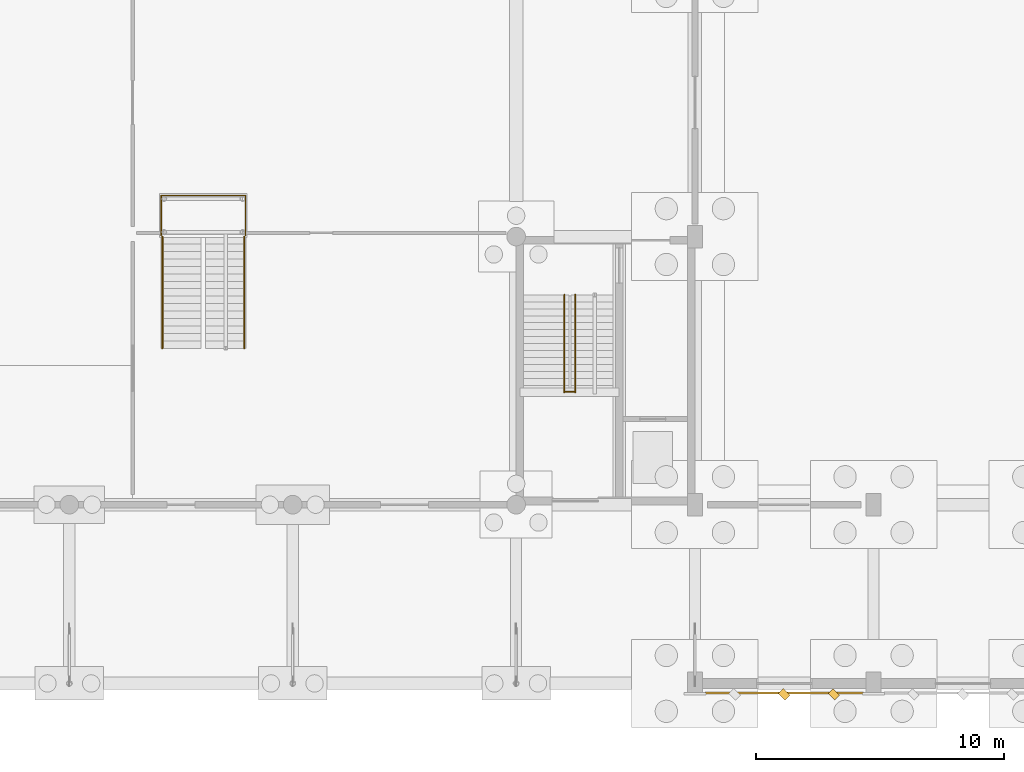
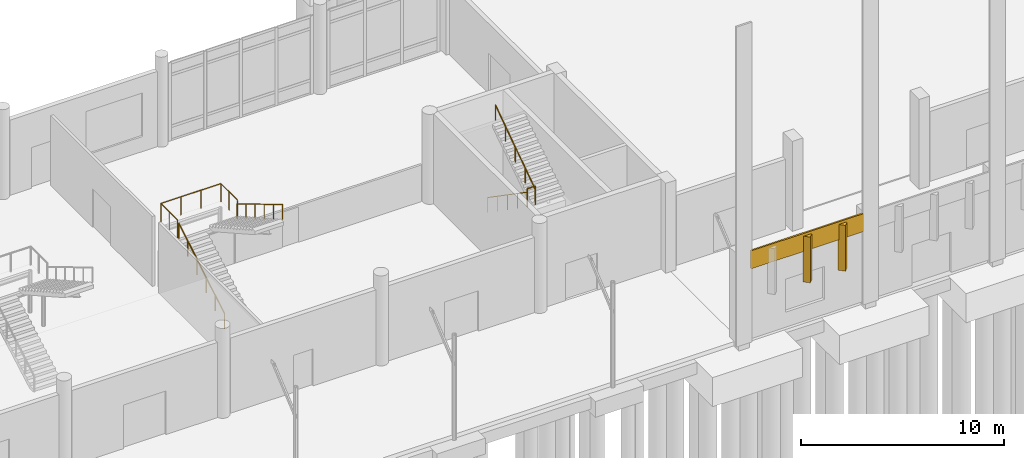
# One storey, part 98 of 109: 6 railings, 3 coverings.
"""IFC4 building model written with IfcOpenShell, lengths in metres."""

from ifc_helpers import new_model, si_unit, direction, frame, origin, origin_2d, place, context, subcontext, project, spatial, rectangle, circle, extrude, material, layer, layer_set, type_object, element, save


model = new_model("IFC4")

# Units and contexts
model_context = context("Model", 3, precision=1e-05, world=origin(), true_north=direction((0.0, 1.0)))
body_context = subcontext(model_context, "Body", "Model", "MODEL_VIEW")
ifc_project = project(units=[si_unit("LENGTHUNIT", "METRE"), si_unit("AREAUNIT", "SQUARE_METRE"), si_unit("VOLUMEUNIT", "CUBIC_METRE"), si_unit("PLANEANGLEUNIT", "RADIAN"), si_unit("MASSUNIT", "GRAM", prefix="KILO")], contexts=[model_context])

# Site, building, storey
site_placement = place(None, origin())
site = spatial("IfcSite", under=ifc_project, at=site_placement, CompositionType="ELEMENT")
building_placement = place(site_placement, origin())
building = spatial("IfcBuilding", under=site, at=building_placement, Name="Lusvemor Sports Hall", CompositionType="ELEMENT")
storey_placement = place(building_placement, origin())
storey = spatial("IfcBuildingStorey", under=building, at=storey_placement, Name="L00", CompositionType="ELEMENT", Elevation=0.0)

# Coverings
ifc_material_1 = material(Name="Emerald polychrome glazed ceramic cladding on Concrete C40/50 backing", Category="concrete")
ifc_layer_1 = layer(ifc_material_1, 0.0458984375)
ifc_layer_set_1 = layer_set([ifc_layer_1], Name="Emerald polychrome glazed ceramic cladding on Concrete C40/50 backing")
covering_type_1 = type_object("IfcCoveringType", Name="CLAD_WAVE_EMERALD", PredefinedType="CLADDING", material=ifc_layer_set_1)
covering_1_placement = place(storey_placement, frame((122.39990234375, -0.43994140625, 2.550048828125), z_axis=(0.0, 0.0, 1.0), x_axis=(0.707106781187, 0.707106781187, 0.0)))
element("IfcCovering", 1, at=covering_1_placement, inside=storey, type_object=covering_type_1, Name="Patterned Diamond Cladding Rib 146", PredefinedType="CLADDING", context=body_context, shape_type="SweptSolid", body=[
    extrude(rectangle(XDim=0.280029296875, YDim=0.3798828125, at=origin_2d()), origin(), (0.0, 0.0, 1.0), 2.75),
])
ifc_material_2 = material(Name="Warm terracotta Art Nouveau ceramic cladding on Concrete C40/50 backing", Category="masonry")
ifc_layer_2 = layer(ifc_material_2, 0.0380859375)
ifc_layer_set_2 = layer_set([ifc_layer_2], Name="Warm terracotta Art Nouveau ceramic cladding on Concrete C40/50 backing")
covering_type_2 = type_object("IfcCoveringType", Name="CLAD_WAVE_OCHRE", PredefinedType="CLADDING", material=ifc_layer_set_2)
covering_2_placement = place(storey_placement, frame((122.39990234375, -0.389892578125, 4.3798828125), z_axis=(0.0, 0.0, 1.0), x_axis=(1.0, 0.0, 0.0)))
element("IfcCovering", 2, at=covering_2_placement, inside=storey, type_object=covering_type_2, Name="Art Nouveau Spandrel Cornice 144", PredefinedType="CLADDING", context=body_context, shape_type="SweptSolid", body=[
    extrude(rectangle(XDim=6.3798828125, YDim=0.090087890625, at=origin_2d()), origin(), (0.0, 0.0, 1.0), 1.080078125),
])
ifc_material_3 = material(Name="Warm terracotta Art Nouveau ceramic cladding on Concrete C40/50 backing", Category="masonry")
ifc_layer_3 = layer(ifc_material_3, 0.449951171875)
ifc_layer_set_3 = layer_set([ifc_layer_3], Name="Warm terracotta Art Nouveau ceramic cladding on Concrete C40/50 backing")
covering_type_3 = type_object("IfcCoveringType", Name="FIN_BRISE_CER_450", PredefinedType="MOLDING", material=ifc_layer_set_3)
covering_3_placement = place(storey_placement, frame((124.39990234375, -0.43994140625, 2.550048828125), z_axis=(0.0, 0.0, 1.0), x_axis=(0.707106781187, 0.707106781187, 0.0)))
element("IfcCovering", 3, at=covering_3_placement, inside=storey, type_object=covering_type_3, Name="Patterned Diamond Cladding Rib 147", PredefinedType="MOLDING", context=body_context, shape_type="SweptSolid", body=[
    extrude(rectangle(XDim=0.280029296875, YDim=0.3798828125, at=origin_2d()), origin(), (0.0, 0.0, 1.0), 2.75),
])

# Railings
ifc_material_4 = material(Name="Bronze-finished wrought-steel Art Nouveau balustrade", Category="steel")
railing_type_1 = type_object("IfcRailingType", Name="RAIL_HANDRAIL_092", PredefinedType="HANDRAIL", material=ifc_material_4)
railing_1_placement = place(storey_placement, frame((113.5400390625, 15.64990234375, 0.0)))
element("IfcRailing", 4, at=railing_1_placement, inside=storey, type_object=railing_type_1, Name="Stair STR-C7-L00 Handrail F1", PredefinedType="HANDRAIL", context=body_context, shape_type="SweptSolid", body=[
    extrude(circle(Radius=0.02392578125, at=origin_2d()), frame((0.0, 0.0, 0.89599609375), z_axis=(0.0, -0.823550731654, 0.567242622158), x_axis=(1.0, 0.0, 0.0)), (0.0, 0.0, 1.0), 4.759765625),
    extrude(circle(Radius=0.02099609375, at=origin_2d()), origin(), (0.0, 0.0, 1.0), 0.871826171875),
    extrude(circle(Radius=0.02099609375, at=origin_2d()), frame((0.0, -0.97998046875, 0.675048828125)), (0.0, 0.0, 1.0), 0.871826171875),
    extrude(circle(Radius=0.02099609375, at=origin_2d()), frame((0.0, -1.9599609375, 1.35009765625)), (0.0, 0.0, 1.0), 0.871826171875),
    extrude(circle(Radius=0.02099609375, at=origin_2d()), frame((0.0, -2.93994140625, 2.02490234375)), (0.0, 0.0, 1.0), 0.871826171875),
    extrude(circle(Radius=0.02099609375, at=origin_2d()), frame((0.0, -3.919921875, 2.699951171875)), (0.0, 0.0, 1.0), 0.871826171875),
])
railing_2_placement = place(storey_placement, frame((113.97998046875, 11.72998046875, 2.699951171875)))
element("IfcRailing", 5, at=railing_2_placement, inside=storey, type_object=railing_type_1, Name="Stair STR-C7-L00 Handrail F2", PredefinedType="HANDRAIL", context=body_context, shape_type="SweptSolid", body=[
    extrude(circle(Radius=0.02392578125, at=origin_2d()), frame((0.0, 0.0, 0.89599609375), z_axis=(0.0, 0.823550731654, 0.567242622158), x_axis=(-1.0, 0.0, 0.0)), (0.0, 0.0, 1.0), 4.759765625),
    extrude(circle(Radius=0.02099609375, at=origin_2d()), origin(), (0.0, 0.0, 1.0), 0.871826171875),
    extrude(circle(Radius=0.02099609375, at=origin_2d()), frame((0.0, 0.97998046875, 0.675048828125)), (0.0, 0.0, 1.0), 0.871826171875),
    extrude(circle(Radius=0.02099609375, at=origin_2d()), frame((0.0, 1.9599609375, 1.35009765625)), (0.0, 0.0, 1.0), 0.871826171875),
    extrude(circle(Radius=0.02099609375, at=origin_2d()), frame((0.0, 2.93994140625, 2.02490234375)), (0.0, 0.0, 1.0), 0.871826171875),
    extrude(circle(Radius=0.02099609375, at=origin_2d()), frame((0.0, 3.919921875, 2.699951171875)), (0.0, 0.0, 1.0), 0.871826171875),
])
railing_3_placement = place(storey_placement, frame((97.35009765625, 13.5, 0.0)))
element("IfcRailing", 6, at=railing_3_placement, inside=storey, type_object=railing_type_1, Name="STR-FOY-E Handrail F1", PredefinedType="HANDRAIL", context=body_context, shape_type="SweptSolid", body=[
    extrude(circle(Radius=0.02392578125, at=origin_2d()), frame((0.0, 0.0, 0.89599609375), z_axis=(0.0, 0.857497030584, 0.514488913912), x_axis=(-1.0, 0.0, 0.0)), (0.0, 0.0, 1.0), 5.247802734375),
    extrude(circle(Radius=0.02099609375, at=origin_2d()), origin(), (0.0, 0.0, 1.0), 0.871826171875),
    extrude(circle(Radius=0.02099609375, at=origin_2d()), frame((0.0, 0.89990234375, 0.5400390625)), (0.0, 0.0, 1.0), 0.871826171875),
    extrude(circle(Radius=0.02099609375, at=origin_2d()), frame((0.0, 1.800048828125, 1.080078125)), (0.0, 0.0, 1.0), 0.871826171875),
    extrude(circle(Radius=0.02099609375, at=origin_2d()), frame((0.0, 2.699951171875, 1.619873046875)), (0.0, 0.0, 1.0), 0.871826171875),
    extrude(circle(Radius=0.02099609375, at=origin_2d()), frame((0.0, 3.60009765625, 2.159912109375)), (0.0, 0.0, 1.0), 0.871826171875),
    extrude(circle(Radius=0.02099609375, at=origin_2d()), frame((0.0, 4.5, 2.699951171875)), (0.0, 0.0, 1.0), 0.871826171875),
])
railing_4_placement = place(storey_placement, frame((100.64990234375, 18.0, 2.699951171875)))
element("IfcRailing", 7, at=railing_4_placement, inside=storey, type_object=railing_type_1, Name="STR-FOY-E Handrail F2", PredefinedType="HANDRAIL", context=body_context, shape_type="SweptSolid", body=[
    extrude(circle(Radius=0.02392578125, at=origin_2d()), frame((0.0, 0.0, 0.89599609375), z_axis=(0.0, -0.857497030584, 0.514488913912), x_axis=(1.0, 0.0, 0.0)), (0.0, 0.0, 1.0), 5.247802734375),
    extrude(circle(Radius=0.02099609375, at=origin_2d()), origin(), (0.0, 0.0, 1.0), 0.871826171875),
    extrude(circle(Radius=0.02099609375, at=origin_2d()), frame((0.0, -0.89990234375, 0.5400390625)), (0.0, 0.0, 1.0), 0.871826171875),
    extrude(circle(Radius=0.02099609375, at=origin_2d()), frame((0.0, -1.800048828125, 1.080078125)), (0.0, 0.0, 1.0), 0.871826171875),
    extrude(circle(Radius=0.02099609375, at=origin_2d()), frame((0.0, -2.699951171875, 1.619873046875)), (0.0, 0.0, 1.0), 0.871826171875),
    extrude(circle(Radius=0.02099609375, at=origin_2d()), frame((0.0, -3.60009765625, 2.159912109375)), (0.0, 0.0, 1.0), 0.871826171875),
    extrude(circle(Radius=0.02099609375, at=origin_2d()), frame((0.0, -4.5, 2.699951171875)), (0.0, 0.0, 1.0), 0.871826171875),
])
ifc_material_5 = material(Name="Bronze-finished wrought-steel Art Nouveau balustrade", Category="steel")
railing_type_2 = type_object("IfcRailingType", Name="RAIL_STAIR_GUARD_112", PredefinedType="GUARDRAIL", material=ifc_material_5)
railing_5_placement = place(storey_placement, frame((113.5400390625, 11.75, 2.699951171875)))
element("IfcRailing", 8, at=railing_5_placement, inside=storey, type_object=railing_type_2, Name="Stair STR-C7-L00 Mid Well Guard", PredefinedType="GUARDRAIL", context=body_context, shape_type="SweptSolid", body=[
    extrude(circle(Radius=0.02392578125, at=origin_2d()), frame((0.0, 0.0, 1.09619140625), z_axis=(1.0, 0.0, 0.0), x_axis=(0.0, 1.0, 0.0)), (0.0, 0.0, 1.0), 0.43994140625),
    extrude(circle(Radius=0.02099609375, at=origin_2d()), origin(), (0.0, 0.0, 1.0), 1.072021484375),
    extrude(circle(Radius=0.02099609375, at=origin_2d()), frame((0.43994140625, 0.0, 0.0)), (0.0, 0.0, 1.0), 1.072021484375),
])
railing_6_placement = place(storey_placement, frame((97.300048828125, 18.0400390625, 2.699951171875)))
element("IfcRailing", 9, at=railing_6_placement, inside=storey, type_object=railing_type_2, Name="STR-FOY-E Mid Guard", PredefinedType="GUARDRAIL", context=body_context, shape_type="SweptSolid", body=[
    extrude(circle(Radius=0.02392578125, at=origin_2d()), frame((0.0, 0.0, 1.09619140625), z_axis=(0.0, 1.0, 0.0), x_axis=(-1.0, 0.0, 0.0)), (0.0, 0.0, 1.0), 1.619873046875),
    extrude(circle(Radius=0.02392578125, at=origin_2d()), frame((0.0, 1.619873046875, 1.09619140625), z_axis=(1.0, 0.0, 0.0), x_axis=(0.0, 1.0, 0.0)), (0.0, 0.0, 1.0), 3.39990234375),
    extrude(circle(Radius=0.02392578125, at=origin_2d()), frame((3.39990234375, 1.619873046875, 1.09619140625), z_axis=(0.0, -1.0, 0.0), x_axis=(1.0, 0.0, 0.0)), (0.0, 0.0, 1.0), 1.619873046875),
    extrude(circle(Radius=0.02099609375, at=origin_2d()), origin(), (0.0, 0.0, 1.0), 1.072021484375),
    extrude(circle(Radius=0.02099609375, at=origin_2d()), frame((0.0, 0.81005859375, 0.0)), (0.0, 0.0, 1.0), 1.072021484375),
    extrude(circle(Radius=0.02099609375, at=origin_2d()), frame((0.0, 1.619873046875, 0.0)), (0.0, 0.0, 1.0), 1.072021484375),
    extrude(circle(Radius=0.02099609375, at=origin_2d()), frame((1.13330078125, 1.619873046875, 0.0)), (0.0, 0.0, 1.0), 1.072021484375),
    extrude(circle(Radius=0.02099609375, at=origin_2d()), frame((2.2666015625, 1.619873046875, 0.0)), (0.0, 0.0, 1.0), 1.072021484375),
    extrude(circle(Radius=0.02099609375, at=origin_2d()), frame((3.39990234375, 1.619873046875, 0.0)), (0.0, 0.0, 1.0), 1.072021484375),
    extrude(circle(Radius=0.02099609375, at=origin_2d()), frame((3.39990234375, 0.81005859375, 0.0)), (0.0, 0.0, 1.0), 1.072021484375),
    extrude(circle(Radius=0.02099609375, at=origin_2d()), frame((3.39990234375, 0.0, 0.0)), (0.0, 0.0, 1.0), 1.072021484375),
])

save(model, "model.ifc")
